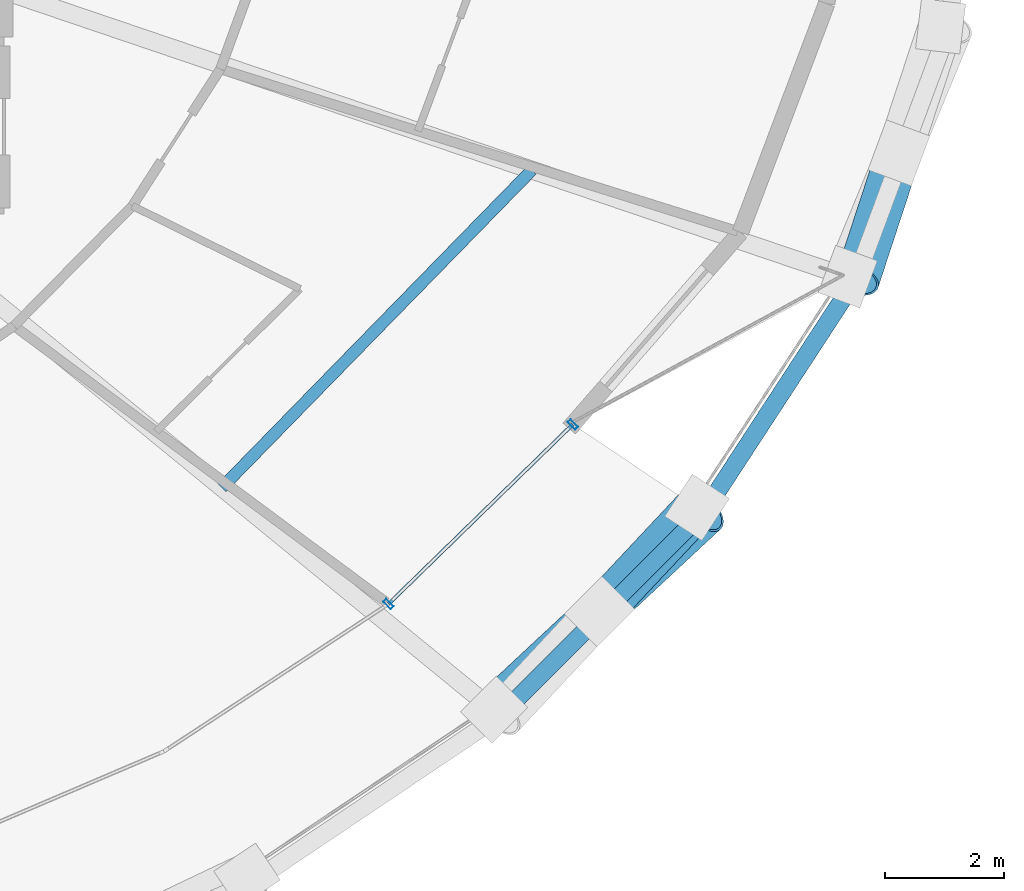
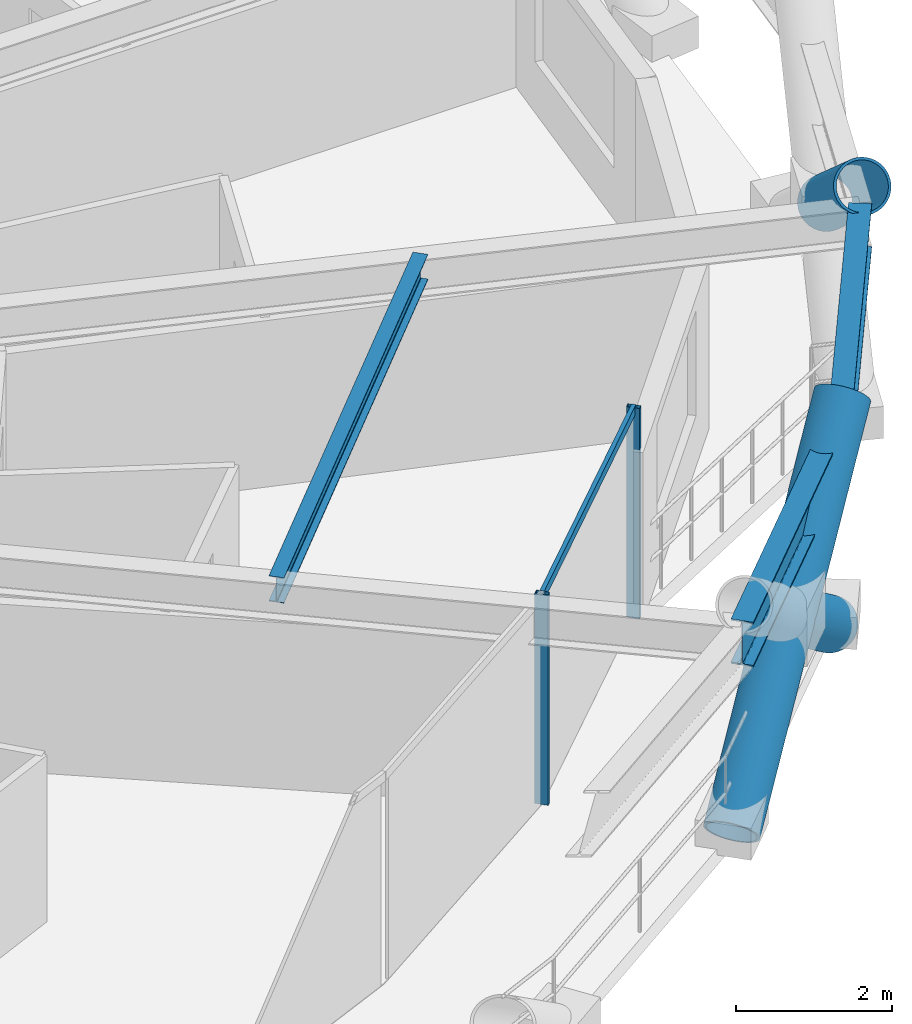
# One storey, part 8 of 17: 6 members, 3 beams, 1 element without a shape of its own.
"""IFC4 building model written with IfcOpenShell, lengths in metres."""

from ifc_helpers import new_model, si_unit, direction, frame, origin, origin_2d, place, context, subcontext, project, spatial, hollow_rectangle, hollow_circle, i_section, extrude, material, layer, layer_set, material_profile, profile_set, type_object, element, aggregate, save


model = new_model("IFC4")

# Units and contexts
model_context = context("Model", 3, precision=1e-05, world=origin(), true_north=direction((0.0, 1.0)))
body_context = subcontext(model_context, "Body", "Model", "MODEL_VIEW")
ifc_project = project(units=[si_unit("LENGTHUNIT", "METRE"), si_unit("AREAUNIT", "SQUARE_METRE"), si_unit("VOLUMEUNIT", "CUBIC_METRE"), si_unit("PLANEANGLEUNIT", "RADIAN"), si_unit("MASSUNIT", "GRAM", prefix="KILO")], contexts=[model_context])

# Site, building, storey
site_placement = place(None, origin())
site = spatial("IfcSite", under=ifc_project, at=site_placement, CompositionType="ELEMENT")
building_placement = place(site_placement, origin())
building = spatial("IfcBuilding", under=site, at=building_placement, Name="Veldorina Hangang Commons", CompositionType="ELEMENT")
storey_placement = place(building_placement, frame((0.0, 0.0, 30.39990234375)))
storey = spatial("IfcBuildingStorey", under=building, at=storey_placement, Name="L06", CompositionType="ELEMENT", Elevation=30.39990234375)

# Beams
ifc_material_1 = material(Name="Steel SM355-TMC", Category="steel")
ifc_material_profile_1 = material_profile(ifc_material_1, i_section(OverallWidth=0.199951171875, OverallDepth=0.39990234375, WebThickness=0.008056640625, FlangeThickness=0.012939453125, FilletRadius=0.012939453125, at=origin_2d()), Name="H-400x200x8x13")
ifc_profile_set_1 = profile_set([ifc_material_profile_1], Name="Steel SM355-TMC")
beam_type_1 = type_object("IfcBeamType", Name="BM-JST400", PredefinedType="JOIST", material=ifc_profile_set_1)
beam_1_placement = place(storey_placement, frame((46.853271484375, 11.833740234375, 3.14013671875), z_axis=(0.698621455298, 0.715491482967, 0.0), x_axis=(-0.715491482967, 0.698621455298, 0.0)))
element("IfcBeam", 1, at=beam_1_placement, inside=storey, type_object=beam_type_1, Name="L06 secondary floor joist 15", PredefinedType="JOIST", context=body_context, shape_type="SweptSolid", body=[
    extrude(i_section(OverallWidth=0.199951171875, OverallDepth=0.39990234375, WebThickness=0.008056640625, FlangeThickness=0.012939453125, FilletRadius=0.012939453125, at=origin_2d()), origin(), (0.0, 0.0, 1.0), 7.48193359375),
])
ifc_material_2 = material(Name="Steel SM460-TMC", Category="steel")
ifc_material_profile_2 = material_profile(ifc_material_2, i_section(OverallWidth=0.300048828125, OverallDepth=0.699951171875, WebThickness=0.012939453125, FlangeThickness=0.02392578125, FilletRadius=0.02197265625, at=origin_2d()), Name="H-700x300x13x24")
ifc_profile_set_2 = profile_set([ifc_material_profile_2], Name="Steel SM460-TMC")
beam_type_2 = type_object("IfcBeamType", Name="BM-RB700", PredefinedType="BEAM", material=ifc_profile_set_2)
beam_2_placement = place(storey_placement, frame((51.544189453125, 7.991455078125, 2.989990234375), z_axis=(0.707760043615, 0.706452914681, 0.0), x_axis=(-0.706452914681, 0.707760043615, 0.0)))
element("IfcBeam", 2, at=beam_2_placement, inside=storey, type_object=beam_type_2, Name="L06 perimeter hoop ring beam 28", PredefinedType="BEAM", context=body_context, shape_type="SweptSolid", body=[
    extrude(i_section(OverallWidth=0.300048828125, OverallDepth=0.699951171875, WebThickness=0.012939453125, FlangeThickness=0.02392578125, FilletRadius=0.02197265625, at=origin_2d()), origin(), (0.0, 0.0, 1.0), 4.856201171875),
])
beam_3_placement = place(storey_placement, frame((54.981201171875, 11.422119140625, 2.989990234375), z_axis=(0.546500399865, 0.837458842539, 0.0), x_axis=(-0.837458842539, 0.546500399865, 0.0)))
element("IfcBeam", 3, at=beam_3_placement, inside=storey, type_object=beam_type_2, Name="L06 perimeter hoop ring beam 29", PredefinedType="BEAM", context=body_context, shape_type="SweptSolid", body=[
    extrude(i_section(OverallWidth=0.300048828125, OverallDepth=0.699951171875, WebThickness=0.012939453125, FlangeThickness=0.02392578125, FilletRadius=0.02197265625, at=origin_2d()), origin(), (0.0, 0.0, 1.0), 4.673828125),
])

# Curtain wall, members
ifc_material_3 = material(Name="Glass Low-E Triple IGU", Category="glass")
ifc_layer = layer(ifc_material_3, 0.179931640625)
ifc_layer_set = layer_set([ifc_layer], Name="Glass Low-E Triple IGU")
curtain_wall_type = type_object("IfcCurtainWallType", Name="CW-SYS-Z1", PredefinedType="NOTDEFINED", material=ifc_layer_set)
curtain_wall_placement = place(storey_placement, origin())
curtain_wall = element("IfcCurtainWall", 4, at=curtain_wall_placement, inside=storey, type_object=curtain_wall_type, Name="L06 unitised curtain wall CW-L06-R2", PredefinedType="NOTDEFINED")
ifc_material_4 = material(Name="Aluminium Anodized AA6063-T6", Category="aluminium")
ifc_material_profile_3 = material_profile(ifc_material_4, hollow_rectangle(XDim=0.070068359375, YDim=0.179931640625, WallThickness=0.00390625, at=origin_2d()), Name="ALU-RHS-180x70x4")
ifc_profile_set_3 = profile_set([ifc_material_profile_3], Name="Aluminium Anodized AA6063-T6")
member_type_1 = type_object("IfcMemberType", Name="CW-MUL-180", PredefinedType="MULLION", material=ifc_profile_set_3)
member_1_placement = place(storey_placement, frame((49.66357421875, 9.8720703125, 0.0), z_axis=(0.0, 0.0, 1.0), x_axis=(0.716143601355, 0.697952965635, 0.0)))
member_1 = element("IfcMember", 5, at=member_1_placement, type_object=member_type_1, Name="CW-L06-R2 vertical mullion 3", PredefinedType="MULLION", context=body_context, shape_type="SweptSolid", body=[
    extrude(hollow_rectangle(XDim=0.070068359375, YDim=0.179931640625, WallThickness=0.00390625, at=origin_2d()), origin(), (0.0, 0.0, 1.0), 3.300048828125),
])
member_2_placement = place(storey_placement, frame((52.77001953125, 12.899658203125, 0.0), z_axis=(0.0, 0.0, 1.0), x_axis=(-0.716143601355, -0.697952965635, 0.0)))
member_2 = element("IfcMember", 6, at=member_2_placement, type_object=member_type_1, Name="CW-L06-R2 vertical mullion 4", PredefinedType="MULLION", context=body_context, shape_type="SweptSolid", body=[
    extrude(hollow_rectangle(XDim=0.070068359375, YDim=0.179931640625, WallThickness=0.00390625, at=origin_2d()), origin(), (0.0, 0.0, 1.0), 3.300048828125),
])
ifc_material_profile_4 = material_profile(ifc_material_4, hollow_rectangle(XDim=0.06005859375, YDim=0.139892578125, WallThickness=0.00341796875, at=origin_2d()), Name="ALU-RHS-140x60x3.5")
ifc_profile_set_4 = profile_set([ifc_material_profile_4], Name="Aluminium Anodized AA6063-T6")
member_type_2 = type_object("IfcMemberType", Name="CW-TRN-140", PredefinedType="USERDEFINED", material=ifc_profile_set_4)
member_3_placement = place(storey_placement, frame((49.66357421875, 9.8720703125, 3.260009765625), z_axis=(0.716137973497, 0.697958740124, 0.0), x_axis=(-0.697958740124, 0.716137973497, 0.0)))
member_3 = element("IfcMember", 7, at=member_3_placement, type_object=member_type_2, Name="CW-L06-R2 facet 5 transom 1", ObjectType="TRANSOM", PredefinedType="USERDEFINED", context=body_context, shape_type="SweptSolid", body=[
    extrude(hollow_rectangle(XDim=0.06005859375, YDim=0.139892578125, WallThickness=0.00341796875, at=origin_2d()), origin(), (0.0, 0.0, 1.0), 4.337890625),
])
aggregate(curtain_wall, [member_1, member_2, member_3])

# Members
ifc_material_profile_5 = material_profile(ifc_material_2, hollow_circle(Radius=0.375, WallThickness=0.035888671875, at=origin_2d()), Name="CHS-750x36")
ifc_profile_set_5 = profile_set([ifc_material_profile_5], Name="Steel SM460-TMC")
member_type_3 = type_object("IfcMemberType", Name="DG-CHS750", PredefinedType="BRACE", material=ifc_profile_set_5)
member_4_placement = place(storey_placement, frame((51.4453125, 8.090087890625, 0.0), z_axis=(0.588139483402, 0.547962053672, 0.594835721691), x_axis=(-0.681674319363, 0.731655740305, 0.0)))
element("IfcMember", 8, at=member_4_placement, inside=storey, type_object=member_type_3, Name="L06 continuous perimeter diagrid brace 28", PredefinedType="BRACE", context=body_context, shape_type="SweptSolid", body=[
    extrude(hollow_circle(Radius=0.375, WallThickness=0.035888671875, at=origin_2d()), origin(), (0.0, 0.0, 1.0), 6.05224609375),
])
member_5_placement = place(storey_placement, frame((54.865478515625, 11.499755859375, 0.0), z_axis=(-0.548269437459, -0.585183915378, 0.59746163821), x_axis=(0.729749026232, -0.683715115171, 0.0)))
element("IfcMember", 9, at=member_5_placement, inside=storey, type_object=member_type_3, Name="L06 split perimeter diagrid lower brace 29", PredefinedType="BRACE", context=body_context, shape_type="SweptSolid", body=[
    extrude(hollow_circle(Radius=0.375, WallThickness=0.035888671875, at=origin_2d()), origin(), (0.0, 0.0, 1.0), 3.002685546875),
])
member_6_placement = place(storey_placement, frame((58.268310546875, 17.47607421875, 1.793701171875), z_axis=(-0.243962055147, -0.742592171315, 0.62373021632), x_axis=(0.950044084712, -0.312115743121, 0.0)))
element("IfcMember", 10, at=member_6_placement, inside=storey, type_object=member_type_3, Name="L06 split perimeter diagrid upper brace 31", PredefinedType="BRACE", context=body_context, shape_type="SweptSolid", body=[
    extrude(hollow_circle(Radius=0.375, WallThickness=0.035888671875, at=origin_2d()), origin(), (0.0, 0.0, 1.0), 2.896240234375),
])

save(model, "model.ifc")
